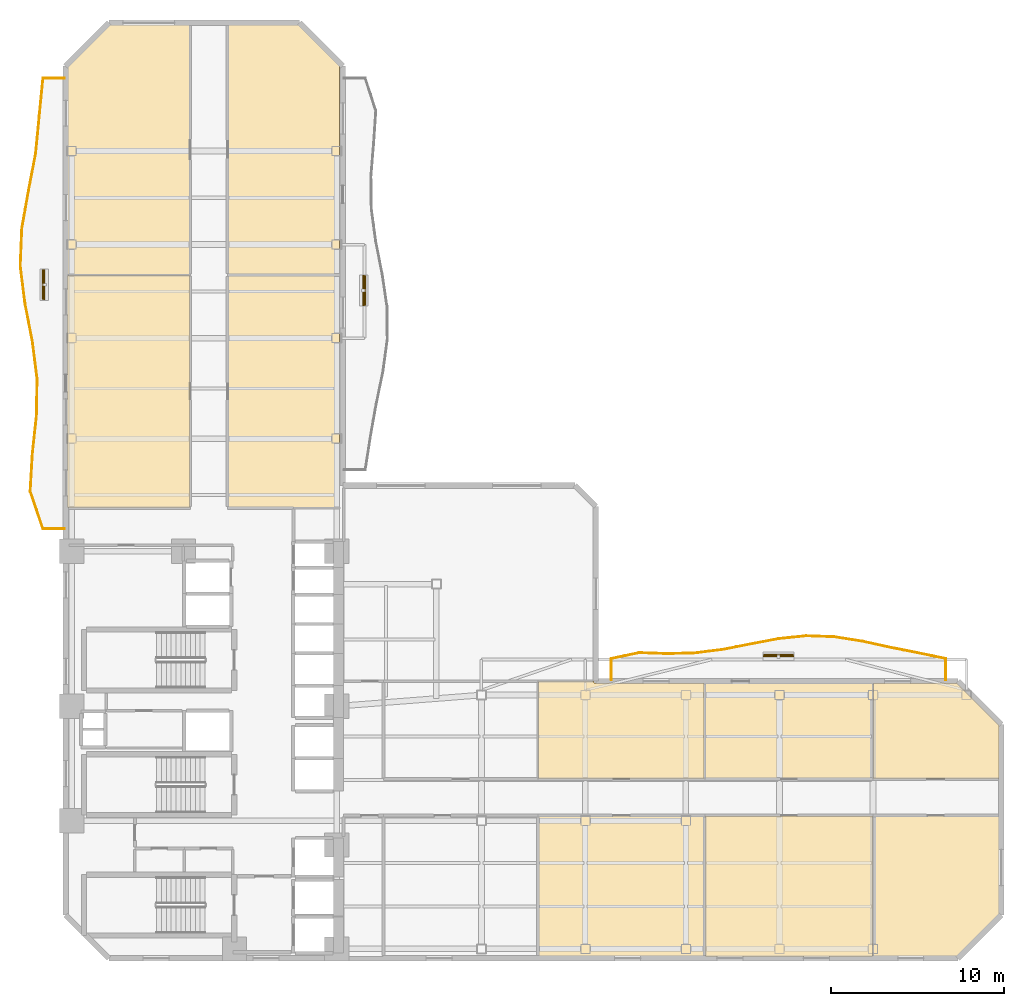
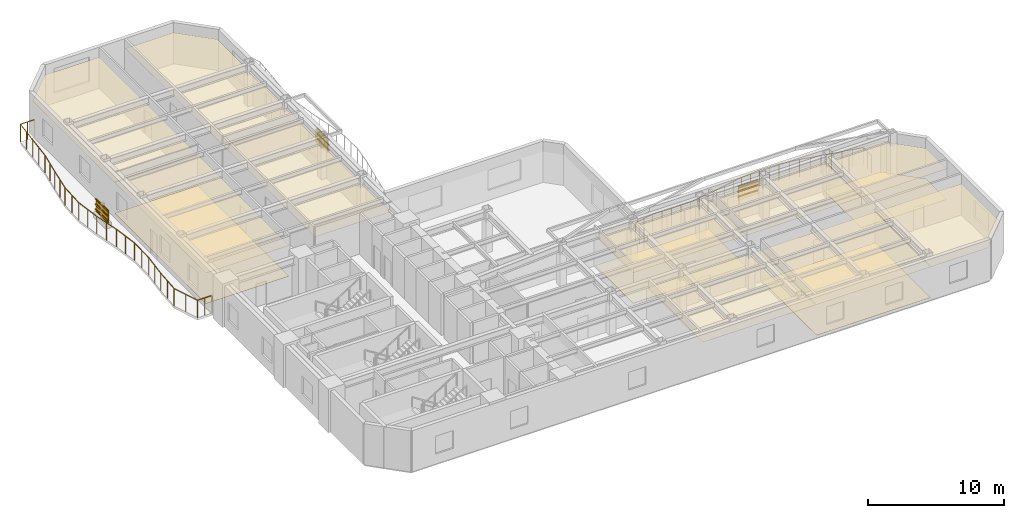
# One storey, part 9 of 10: 14 coverings, 12 shading devices, 2 railings.
"""IFC4 building model written with IfcOpenShell, lengths in metres."""

from ifc_helpers import new_model, si_unit, direction, frame, origin, origin_2d, place, context, subcontext, project, spatial, polyline, rectangle, outline, extrude, material, layer, layer_set, material_profile, profile_set, type_object, element, save


model = new_model("IFC4")

# Units and contexts
model_context = context("Model", 3, precision=1e-05, world=origin(), true_north=direction((0.0, 1.0)))
body_context = subcontext(model_context, "Body", "Model", "MODEL_VIEW")
ifc_project = project(units=[si_unit("LENGTHUNIT", "METRE"), si_unit("AREAUNIT", "SQUARE_METRE"), si_unit("VOLUMEUNIT", "CUBIC_METRE"), si_unit("PLANEANGLEUNIT", "RADIAN"), si_unit("MASSUNIT", "GRAM", prefix="KILO")], contexts=[model_context])

# Site, building, storey
site_placement = place(None, origin())
site = spatial("IfcSite", under=ifc_project, at=site_placement, CompositionType="ELEMENT")
building_placement = place(site_placement, origin())
building = spatial("IfcBuilding", under=site, at=building_placement, Name="Mawjaban Terraces University", CompositionType="ELEMENT")
storey_placement = place(building_placement, frame((0.0, 0.0, 58.300048828125)))
storey = spatial("IfcBuildingStorey", under=building, at=storey_placement, Name="L13", CompositionType="ELEMENT", Elevation=58.300048828125)

# Coverings
ifc_material_1 = material(Name="Acoustic mineral fibre ceiling tile", Category="masonry")
ifc_layer_1 = layer(ifc_material_1, 0.02001953125)
ifc_layer_set_1 = layer_set([ifc_layer_1], Name="Acoustic mineral fibre ceiling tile")
covering_type_1 = type_object("IfcCoveringType", Name="AcousticMineralCeiling_20", PredefinedType="CEILING", material=ifc_layer_set_1)
covering_1_placement = place(storey_placement, frame((0.0, 0.0, 2.75)))
element("IfcCovering", 1, at=covering_1_placement, inside=storey, type_object=covering_type_1, Name="L13 Media Workshop 4 Acoustic Ceiling", PredefinedType="CEILING", context=body_context, shape_type="SweptSolid", body=[
    extrude(outline(polyline([(49.29296875, 0.114990234375), (58.85791015625, 0.114990234375), (58.85791015625, 8.219970703125), (49.29296875, 8.219970703125), (49.29296875, 0.114990234375)])), origin(), (0.0, 0.0, 1.0), 0.02001953125),
])
covering_2_placement = place(storey_placement, frame((0.0, 0.0, 2.75)))
element("IfcCovering", 2, at=covering_2_placement, inside=storey, type_object=covering_type_1, Name="L13 Quiet Reading Room 5 Acoustic Ceiling", PredefinedType="CEILING", context=body_context, shape_type="SweptSolid", body=[
    extrude(outline(polyline([(58.85791015625, 15.885009765625), (52.485107421875, 15.885009765625), (52.485107421875, 15.969970703125), (49.29296875, 15.969970703125), (49.29296875, 10.3798828125), (58.85791015625, 10.3798828125), (58.85791015625, 15.885009765625)])), origin(), (0.0, 0.0, 1.0), 0.02001953125),
])
covering_3_placement = place(storey_placement, frame((0.0, 0.0, 2.75)))
element("IfcCovering", 3, at=covering_3_placement, inside=storey, type_object=covering_type_1, Name="L13 Reading Salon 6 Acoustic Ceiling", PredefinedType="CEILING", context=body_context, shape_type="SweptSolid", body=[
    extrude(outline(polyline([(58.91796875, 0.114990234375), (68.570068359375, 0.114990234375), (68.570068359375, 8.219970703125), (58.91796875, 8.219970703125), (58.91796875, 0.114990234375)])), origin(), (0.0, 0.0, 1.0), 0.02001953125),
])
covering_4_placement = place(storey_placement, frame((0.0, 0.0, 2.75)))
element("IfcCovering", 4, at=covering_4_placement, inside=storey, type_object=covering_type_1, Name="L13 Academic Counseling Room 7 Acoustic Ceiling", PredefinedType="CEILING", context=body_context, shape_type="SweptSolid", body=[
    extrude(outline(polyline([(68.570068359375, 15.885009765625), (58.91796875, 15.885009765625), (58.91796875, 10.3798828125), (68.570068359375, 10.3798828125), (68.570068359375, 15.885009765625)])), origin(), (0.0, 0.0, 1.0), 0.02001953125),
])
covering_5_placement = place(storey_placement, frame((0.0, 0.0, 2.75)))
element("IfcCovering", 5, at=covering_5_placement, inside=storey, type_object=covering_type_1, Name="L13 Academic Counseling Room 8 Acoustic Ceiling", PredefinedType="CEILING", context=body_context, shape_type="SweptSolid", body=[
    extrude(outline(polyline([(68.6298828125, 0.114990234375), (73.452880859375, 0.114990234375), (75.885009765625, 2.547119140625), (75.885009765625, 8.219970703125), (68.6298828125, 8.219970703125), (68.6298828125, 0.114990234375)])), origin(), (0.0, 0.0, 1.0), 0.02001953125),
])
covering_6_placement = place(storey_placement, frame((0.0, 0.0, 2.75)))
element("IfcCovering", 6, at=covering_6_placement, inside=storey, type_object=covering_type_1, Name="L13 Classroom 9 Acoustic Ceiling", PredefinedType="CEILING", context=body_context, shape_type="SweptSolid", body=[
    extrude(outline(polyline([(75.885009765625, 10.3798828125), (75.885009765625, 13.452880859375), (73.452880859375, 15.885009765625), (68.6298828125, 15.885009765625), (68.6298828125, 10.3798828125), (75.885009765625, 10.3798828125)])), origin(), (0.0, 0.0, 1.0), 0.02001953125),
])
covering_7_placement = place(storey_placement, frame((0.0, 0.0, 2.75)))
element("IfcCovering", 7, at=covering_7_placement, inside=storey, type_object=covering_type_1, Name="L13 Seminar Room 10 Acoustic Ceiling", PredefinedType="CEILING", context=body_context, shape_type="SweptSolid", body=[
    extrude(outline(polyline([(22.114990234375, 39.409912109375), (22.114990234375, 26.030029296875), (29.169921875, 26.030029296875), (29.169921875, 39.409912109375), (22.114990234375, 39.409912109375)])), origin(), (0.0, 0.0, 1.0), 0.02001953125),
])
covering_8_placement = place(storey_placement, frame((0.0, 0.0, 2.75)))
element("IfcCovering", 8, at=covering_8_placement, inside=storey, type_object=covering_type_1, Name="L13 Faculty Office 11 Acoustic Ceiling", PredefinedType="CEILING", context=body_context, shape_type="SweptSolid", body=[
    extrude(outline(polyline([(37.820068359375, 26.030029296875), (37.820068359375, 39.409912109375), (31.3798828125, 39.409912109375), (31.3798828125, 26.030029296875), (37.820068359375, 26.030029296875)])), origin(), (0.0, 0.0, 1.0), 0.02001953125),
])
covering_9_placement = place(storey_placement, frame((0.0, 0.0, 2.75)))
element("IfcCovering", 9, at=covering_9_placement, inside=storey, type_object=covering_type_1, Name="L13 Teaching Laboratory 12 Acoustic Ceiling", PredefinedType="CEILING", context=body_context, shape_type="SweptSolid", body=[
    extrude(outline(polyline([(29.169921875, 53.885009765625), (24.547119140625, 53.885009765625), (22.114990234375, 51.452880859375), (22.114990234375, 39.469970703125), (29.169921875, 39.469970703125), (29.169921875, 53.885009765625)])), origin(), (0.0, 0.0, 1.0), 0.02001953125),
])
covering_10_placement = place(storey_placement, frame((0.0, 0.0, 2.75)))
element("IfcCovering", 10, at=covering_10_placement, inside=storey, type_object=covering_type_1, Name="L13 Design Studio 13 Acoustic Ceiling", PredefinedType="CEILING", context=body_context, shape_type="SweptSolid", body=[
    extrude(outline(polyline([(37.820068359375, 51.51806640625), (35.452880859375, 53.885009765625), (31.3798828125, 53.885009765625), (31.3798828125, 39.469970703125), (37.820068359375, 39.469970703125), (37.820068359375, 51.51806640625)])), origin(), (0.0, 0.0, 1.0), 0.02001953125),
])

# Railings
ifc_material_2 = material(Name="Galvanised powder-coated steel S355", Category="steel")
railing_type = type_object("IfcRailingType", Name="BalconyBalustrade_1600", PredefinedType="BALUSTRADE", material=ifc_material_2)
railing_1_placement = place(storey_placement, frame((21.919921875, 24.800048828125, 0.0)))
element("IfcRailing", 11, at=railing_1_placement, inside=storey, type_object=railing_type, Name="L13 Balcony Guardrail west", PredefinedType="BALUSTRADE", context=body_context, shape_type="SweptSolid", body=[
    extrude(rectangle(XDim=0.048095703125, YDim=0.048095703125, at=origin_2d()), frame((0.0, 0.0, 1.576171875), z_axis=(-1.0, 0.0, 0.0), x_axis=(0.0, -1.0, 0.0)), (0.0, 0.0, 1.0), 1.219970703125),
    extrude(rectangle(XDim=0.048095703125, YDim=0.048095703125, at=origin_2d()), frame((-1.219970703125, 0.0, 1.576171875), z_axis=(-0.32076997758, 0.94715712608, 0.0), x_axis=(-0.94715712608, -0.32076997758, 0.0)), (0.0, 0.0, 1.0), 2.287841796875),
    extrude(rectangle(XDim=0.048095703125, YDim=0.048095703125, at=origin_2d()), frame((-1.953857421875, 2.1669921875, 1.576171875), z_axis=(0.057165158423, 0.998364735286, 0.0), x_axis=(-0.998364735286, 0.057165158423, 0.0)), (0.0, 0.0, 1.0), 2.169677734375),
    extrude(rectangle(XDim=0.048095703125, YDim=0.048095703125, at=origin_2d()), frame((-1.829833984375, 4.3330078125, 1.576171875), z_axis=(0.107751142086, 0.994177897249, 0.0), x_axis=(-0.994177897249, 0.107751142086, 0.0)), (0.0, 0.0, 1.0), 2.1796875),
    extrude(rectangle(XDim=0.048095703125, YDim=0.048095703125, at=origin_2d()), frame((-1.594970703125, 6.5, 1.576171875), z_axis=(0.017572770568, 0.999845586946, 0.0), x_axis=(-0.999845586946, 0.017572770568, 0.0)), (0.0, 0.0, 1.0), 2.167236328125),
    extrude(rectangle(XDim=0.048095703125, YDim=0.048095703125, at=origin_2d()), frame((-1.556884765625, 8.6669921875, 1.576171875), z_axis=(-0.126016204068, 0.992028183225, 0.0), x_axis=(-0.992028183225, -0.126016204068, 0.0)), (0.0, 0.0, 1.0), 2.183349609375),
    extrude(rectangle(XDim=0.048095703125, YDim=0.048095703125, at=origin_2d()), frame((-1.83203125, 10.8330078125, 1.576171875), z_axis=(-0.192372709266, 0.981321935315, 0.0), x_axis=(-0.981321935315, -0.192372709266, 0.0)), (0.0, 0.0, 1.0), 2.208251953125),
    extrude(rectangle(XDim=0.048095703125, YDim=0.048095703125, at=origin_2d()), frame((-2.2568359375, 13.0, 1.576171875), z_axis=(-0.123649449448, 0.992325961391, 0.0), x_axis=(-0.992325961391, -0.123649449448, 0.0)), (0.0, 0.0, 1.0), 2.183837890625),
    extrude(rectangle(XDim=0.048095703125, YDim=0.048095703125, at=origin_2d()), frame((-2.52685546875, 15.1669921875, 1.576171875), z_axis=(0.040543732568, 0.999177764839, 0.0), x_axis=(-0.999177764839, 0.040543732568, 0.0)), (0.0, 0.0, 1.0), 2.167724609375),
    extrude(rectangle(XDim=0.048095703125, YDim=0.048095703125, at=origin_2d()), frame((-2.43896484375, 17.3330078125, 1.576171875), z_axis=(0.174500407925, 0.984657101551, 0.0), x_axis=(-0.984657101551, 0.174500407925, 0.0)), (0.0, 0.0, 1.0), 2.20068359375),
    extrude(rectangle(XDim=0.048095703125, YDim=0.048095703125, at=origin_2d()), frame((-2.054931640625, 19.5, 1.576171875), z_axis=(0.188108607076, 0.982148233183, 0.0), x_axis=(-0.982148233183, 0.188108607076, 0.0)), (0.0, 0.0, 1.0), 2.206298828125),
    extrude(rectangle(XDim=0.048095703125, YDim=0.048095703125, at=origin_2d()), frame((-1.639892578125, 21.6669921875, 1.576171875), z_axis=(0.096037346488, 0.995377731356, 0.0), x_axis=(-0.995377731356, 0.096037346488, 0.0)), (0.0, 0.0, 1.0), 2.176025390625),
    extrude(rectangle(XDim=0.048095703125, YDim=0.048095703125, at=origin_2d()), frame((-1.430908203125, 23.8330078125, 1.576171875), z_axis=(0.096883228076, 0.995295755099, 0.0), x_axis=(-0.995295755099, 0.096883228076, 0.0)), (0.0, 0.0, 1.0), 2.17724609375),
    extrude(rectangle(XDim=0.048095703125, YDim=0.048095703125, at=origin_2d()), frame((-1.219970703125, 26.0, 1.576171875), z_axis=(1.0, 0.0, 0.0), x_axis=(0.0, 1.0, 0.0)), (0.0, 0.0, 1.0), 1.219970703125),
    extrude(rectangle(XDim=0.0419921875, YDim=0.0419921875, at=origin_2d()), origin(), (0.0, 0.0, 1.0), 1.552001953125),
    extrude(rectangle(XDim=0.0419921875, YDim=0.0419921875, at=origin_2d()), frame((-0.60986328125, 0.0, 0.0)), (0.0, 0.0, 1.0), 1.552001953125),
    extrude(rectangle(XDim=0.0419921875, YDim=0.0419921875, at=origin_2d()), frame((-1.219970703125, 0.0, 0.0)), (0.0, 0.0, 1.0), 1.552001953125),
    extrude(rectangle(XDim=0.0419921875, YDim=0.0419921875, at=origin_2d()), frame((-1.5869140625, 1.08349609375, 0.0)), (0.0, 0.0, 1.0), 1.552001953125),
    extrude(rectangle(XDim=0.0419921875, YDim=0.0419921875, at=origin_2d()), frame((-1.953857421875, 2.1669921875, 0.0)), (0.0, 0.0, 1.0), 1.552001953125),
    extrude(rectangle(XDim=0.0419921875, YDim=0.0419921875, at=origin_2d()), frame((-1.891845703125, 3.25, 0.0)), (0.0, 0.0, 1.0), 1.552001953125),
    extrude(rectangle(XDim=0.0419921875, YDim=0.0419921875, at=origin_2d()), frame((-1.829833984375, 4.3330078125, 0.0)), (0.0, 0.0, 1.0), 1.552001953125),
    extrude(rectangle(XDim=0.0419921875, YDim=0.0419921875, at=origin_2d()), frame((-1.71240234375, 5.41650390625, 0.0)), (0.0, 0.0, 1.0), 1.552001953125),
    extrude(rectangle(XDim=0.0419921875, YDim=0.0419921875, at=origin_2d()), frame((-1.594970703125, 6.5, 0.0)), (0.0, 0.0, 1.0), 1.552001953125),
    extrude(rectangle(XDim=0.0419921875, YDim=0.0419921875, at=origin_2d()), frame((-1.575927734375, 7.58349609375, 0.0)), (0.0, 0.0, 1.0), 1.552001953125),
    extrude(rectangle(XDim=0.0419921875, YDim=0.0419921875, at=origin_2d()), frame((-1.556884765625, 8.6669921875, 0.0)), (0.0, 0.0, 1.0), 1.552001953125),
    extrude(rectangle(XDim=0.0419921875, YDim=0.0419921875, at=origin_2d()), frame((-1.6943359375, 9.75, 0.0)), (0.0, 0.0, 1.0), 1.552001953125),
    extrude(rectangle(XDim=0.0419921875, YDim=0.0419921875, at=origin_2d()), frame((-1.83203125, 10.8330078125, 0.0)), (0.0, 0.0, 1.0), 1.552001953125),
    extrude(rectangle(XDim=0.0419921875, YDim=0.0419921875, at=origin_2d()), frame((-2.04443359375, 11.91650390625, 0.0)), (0.0, 0.0, 1.0), 1.552001953125),
    extrude(rectangle(XDim=0.0419921875, YDim=0.0419921875, at=origin_2d()), frame((-2.2568359375, 13.0, 0.0)), (0.0, 0.0, 1.0), 1.552001953125),
    extrude(rectangle(XDim=0.0419921875, YDim=0.0419921875, at=origin_2d()), frame((-2.391845703125, 14.08349609375, 0.0)), (0.0, 0.0, 1.0), 1.552001953125),
    extrude(rectangle(XDim=0.0419921875, YDim=0.0419921875, at=origin_2d()), frame((-2.52685546875, 15.1669921875, 0.0)), (0.0, 0.0, 1.0), 1.552001953125),
    extrude(rectangle(XDim=0.0419921875, YDim=0.0419921875, at=origin_2d()), frame((-2.48291015625, 16.25, 0.0)), (0.0, 0.0, 1.0), 1.552001953125),
    extrude(rectangle(XDim=0.0419921875, YDim=0.0419921875, at=origin_2d()), frame((-2.43896484375, 17.3330078125, 0.0)), (0.0, 0.0, 1.0), 1.552001953125),
    extrude(rectangle(XDim=0.0419921875, YDim=0.0419921875, at=origin_2d()), frame((-2.2470703125, 18.41650390625, 0.0)), (0.0, 0.0, 1.0), 1.552001953125),
    extrude(rectangle(XDim=0.0419921875, YDim=0.0419921875, at=origin_2d()), frame((-2.054931640625, 19.5, 0.0)), (0.0, 0.0, 1.0), 1.552001953125),
    extrude(rectangle(XDim=0.0419921875, YDim=0.0419921875, at=origin_2d()), frame((-1.847412109375, 20.58349609375, 0.0)), (0.0, 0.0, 1.0), 1.552001953125),
    extrude(rectangle(XDim=0.0419921875, YDim=0.0419921875, at=origin_2d()), frame((-1.639892578125, 21.6669921875, 0.0)), (0.0, 0.0, 1.0), 1.552001953125),
    extrude(rectangle(XDim=0.0419921875, YDim=0.0419921875, at=origin_2d()), frame((-1.535400390625, 22.75, 0.0)), (0.0, 0.0, 1.0), 1.552001953125),
    extrude(rectangle(XDim=0.0419921875, YDim=0.0419921875, at=origin_2d()), frame((-1.430908203125, 23.8330078125, 0.0)), (0.0, 0.0, 1.0), 1.552001953125),
    extrude(rectangle(XDim=0.0419921875, YDim=0.0419921875, at=origin_2d()), frame((-1.325439453125, 24.91650390625, 0.0)), (0.0, 0.0, 1.0), 1.552001953125),
    extrude(rectangle(XDim=0.0419921875, YDim=0.0419921875, at=origin_2d()), frame((-1.219970703125, 26.0, 0.0)), (0.0, 0.0, 1.0), 1.552001953125),
    extrude(rectangle(XDim=0.0419921875, YDim=0.0419921875, at=origin_2d()), frame((-0.60986328125, 26.0, 0.0)), (0.0, 0.0, 1.0), 1.552001953125),
    extrude(rectangle(XDim=0.0419921875, YDim=0.0419921875, at=origin_2d()), frame((0.0, 26.0, 0.0)), (0.0, 0.0, 1.0), 1.552001953125),
])
railing_2_placement = place(storey_placement, frame((53.5, 16.080078125, 0.0)))
element("IfcRailing", 12, at=railing_2_placement, inside=storey, type_object=railing_type, Name="L13 Balcony Guardrail inner_north", PredefinedType="BALUSTRADE", context=body_context, shape_type="SweptSolid", body=[
    extrude(rectangle(XDim=0.048095703125, YDim=0.048095703125, at=origin_2d()), frame((0.0, 0.0, 1.576171875), z_axis=(0.0, 1.0, 0.0), x_axis=(-1.0, 0.0, 0.0)), (0.0, 0.0, 1.0), 1.219970703125),
    extrude(rectangle(XDim=0.048095703125, YDim=0.048095703125, at=origin_2d()), frame((0.0, 1.219970703125, 1.576171875), z_axis=(0.978505623955, 0.206220134535, 0.0), x_axis=(-0.206220134535, 0.978505623955, 0.0)), (0.0, 0.0, 1.0), 1.643310546875),
    extrude(rectangle(XDim=0.048095703125, YDim=0.048095703125, at=origin_2d()), frame((1.60791015625, 1.558837890625, 1.576171875), z_axis=(0.999396961052, -0.034723396159, 0.0), x_axis=(0.034723396159, 0.999396961052, 0.0)), (0.0, 0.0, 1.0), 1.610107421875),
    extrude(rectangle(XDim=0.048095703125, YDim=0.048095703125, at=origin_2d()), frame((3.217041015625, 1.5029296875, 1.576171875), z_axis=(0.99970503239, 0.024286790948, 0.0), x_axis=(-0.024286790948, 0.99970503239, 0.0)), (0.0, 0.0, 1.0), 1.6083984375),
    extrude(rectangle(XDim=0.048095703125, YDim=0.048095703125, at=origin_2d()), frame((4.824951171875, 1.5419921875, 1.576171875), z_axis=(0.992210526181, 0.12457235542, 0.0), x_axis=(-0.12457235542, 0.992210526181, 0.0)), (0.0, 0.0, 1.0), 1.620849609375),
    extrude(rectangle(XDim=0.048095703125, YDim=0.048095703125, at=origin_2d()), frame((6.43310546875, 1.743896484375, 1.576171875), z_axis=(0.981007737848, 0.193968601277, 0.0), x_axis=(-0.193968601277, 0.981007737848, 0.0)), (0.0, 0.0, 1.0), 1.64013671875),
    extrude(rectangle(XDim=0.048095703125, YDim=0.048095703125, at=origin_2d()), frame((8.0419921875, 2.06201171875, 1.576171875), z_axis=(0.982269311628, 0.187475330203, 0.0), x_axis=(-0.187475330203, 0.982269311628, 0.0)), (0.0, 0.0, 1.0), 1.636962890625),
    extrude(rectangle(XDim=0.048095703125, YDim=0.048095703125, at=origin_2d()), frame((9.64990234375, 2.368896484375, 1.576171875), z_axis=(0.994836321222, 0.101492334577, 0.0), x_axis=(-0.101492334577, 0.994836321222, 0.0)), (0.0, 0.0, 1.0), 1.616455078125),
    extrude(rectangle(XDim=0.048095703125, YDim=0.048095703125, at=origin_2d()), frame((11.258056640625, 2.532958984375, 1.576171875), z_axis=(0.999370174204, -0.035485981906, 0.0), x_axis=(0.035485981906, 0.999370174204, 0.0)), (0.0, 0.0, 1.0), 1.60986328125),
    extrude(rectangle(XDim=0.048095703125, YDim=0.048095703125, at=origin_2d()), frame((12.866943359375, 2.475830078125, 1.576171875), z_axis=(0.98757872014, -0.15712501878, 0.0), x_axis=(0.15712501878, 0.98757872014, 0.0)), (0.0, 0.0, 1.0), 1.62841796875),
    extrude(rectangle(XDim=0.048095703125, YDim=0.048095703125, at=origin_2d()), frame((14.47509765625, 2.219970703125, 1.576171875), z_axis=(0.976983169903, -0.213316398166, 0.0), x_axis=(0.213316398166, 0.976983169903, 0.0)), (0.0, 0.0, 1.0), 1.645751953125),
    extrude(rectangle(XDim=0.048095703125, YDim=0.048095703125, at=origin_2d()), frame((16.0830078125, 1.868896484375, 1.576171875), z_axis=(0.981036054572, -0.193825332785, 0.0), x_axis=(0.193825332785, 0.981036054572, 0.0)), (0.0, 0.0, 1.0), 1.639892578125),
    extrude(rectangle(XDim=0.048095703125, YDim=0.048095703125, at=origin_2d()), frame((17.69189453125, 1.551025390625, 1.576171875), z_axis=(0.979461362007, -0.201631942748, 0.0), x_axis=(0.201631942748, 0.979461362007, 0.0)), (0.0, 0.0, 1.0), 1.641845703125),
    extrude(rectangle(XDim=0.048095703125, YDim=0.048095703125, at=origin_2d()), frame((19.300048828125, 1.219970703125, 1.576171875), z_axis=(0.0, -1.0, 0.0), x_axis=(1.0, 0.0, 0.0)), (0.0, 0.0, 1.0), 1.219970703125),
    extrude(rectangle(XDim=0.0419921875, YDim=0.0419921875, at=origin_2d()), origin(), (0.0, 0.0, 1.0), 1.552001953125),
    extrude(rectangle(XDim=0.0419921875, YDim=0.0419921875, at=origin_2d()), frame((0.0, 0.60986328125, 0.0)), (0.0, 0.0, 1.0), 1.552001953125),
    extrude(rectangle(XDim=0.0419921875, YDim=0.0419921875, at=origin_2d()), frame((0.0, 1.219970703125, 0.0)), (0.0, 0.0, 1.0), 1.552001953125),
    extrude(rectangle(XDim=0.0419921875, YDim=0.0419921875, at=origin_2d()), frame((0.803955078125, 1.389404296875, 0.0)), (0.0, 0.0, 1.0), 1.552001953125),
    extrude(rectangle(XDim=0.0419921875, YDim=0.0419921875, at=origin_2d()), frame((1.60791015625, 1.558837890625, 0.0)), (0.0, 0.0, 1.0), 1.552001953125),
    extrude(rectangle(XDim=0.0419921875, YDim=0.0419921875, at=origin_2d()), frame((2.41259765625, 1.53076171875, 0.0)), (0.0, 0.0, 1.0), 1.552001953125),
    extrude(rectangle(XDim=0.0419921875, YDim=0.0419921875, at=origin_2d()), frame((3.217041015625, 1.5029296875, 0.0)), (0.0, 0.0, 1.0), 1.552001953125),
    extrude(rectangle(XDim=0.0419921875, YDim=0.0419921875, at=origin_2d()), frame((4.02099609375, 1.5224609375, 0.0)), (0.0, 0.0, 1.0), 1.552001953125),
    extrude(rectangle(XDim=0.0419921875, YDim=0.0419921875, at=origin_2d()), frame((4.824951171875, 1.5419921875, 0.0)), (0.0, 0.0, 1.0), 1.552001953125),
    extrude(rectangle(XDim=0.0419921875, YDim=0.0419921875, at=origin_2d()), frame((5.62890625, 1.64306640625, 0.0)), (0.0, 0.0, 1.0), 1.552001953125),
    extrude(rectangle(XDim=0.0419921875, YDim=0.0419921875, at=origin_2d()), frame((6.43310546875, 1.743896484375, 0.0)), (0.0, 0.0, 1.0), 1.552001953125),
    extrude(rectangle(XDim=0.0419921875, YDim=0.0419921875, at=origin_2d()), frame((7.237548828125, 1.90283203125, 0.0)), (0.0, 0.0, 1.0), 1.552001953125),
    extrude(rectangle(XDim=0.0419921875, YDim=0.0419921875, at=origin_2d()), frame((8.0419921875, 2.06201171875, 0.0)), (0.0, 0.0, 1.0), 1.552001953125),
    extrude(rectangle(XDim=0.0419921875, YDim=0.0419921875, at=origin_2d()), frame((8.845947265625, 2.21533203125, 0.0)), (0.0, 0.0, 1.0), 1.552001953125),
    extrude(rectangle(XDim=0.0419921875, YDim=0.0419921875, at=origin_2d()), frame((9.64990234375, 2.368896484375, 0.0)), (0.0, 0.0, 1.0), 1.552001953125),
    extrude(rectangle(XDim=0.0419921875, YDim=0.0419921875, at=origin_2d()), frame((10.4541015625, 2.450927734375, 0.0)), (0.0, 0.0, 1.0), 1.552001953125),
    extrude(rectangle(XDim=0.0419921875, YDim=0.0419921875, at=origin_2d()), frame((11.258056640625, 2.532958984375, 0.0)), (0.0, 0.0, 1.0), 1.552001953125),
    extrude(rectangle(XDim=0.0419921875, YDim=0.0419921875, at=origin_2d()), frame((12.0625, 2.50439453125, 0.0)), (0.0, 0.0, 1.0), 1.552001953125),
    extrude(rectangle(XDim=0.0419921875, YDim=0.0419921875, at=origin_2d()), frame((12.866943359375, 2.475830078125, 0.0)), (0.0, 0.0, 1.0), 1.552001953125),
    extrude(rectangle(XDim=0.0419921875, YDim=0.0419921875, at=origin_2d()), frame((13.6708984375, 2.347900390625, 0.0)), (0.0, 0.0, 1.0), 1.552001953125),
    extrude(rectangle(XDim=0.0419921875, YDim=0.0419921875, at=origin_2d()), frame((14.47509765625, 2.219970703125, 0.0)), (0.0, 0.0, 1.0), 1.552001953125),
    extrude(rectangle(XDim=0.0419921875, YDim=0.0419921875, at=origin_2d()), frame((15.279052734375, 2.04443359375, 0.0)), (0.0, 0.0, 1.0), 1.552001953125),
    extrude(rectangle(XDim=0.0419921875, YDim=0.0419921875, at=origin_2d()), frame((16.0830078125, 1.868896484375, 0.0)), (0.0, 0.0, 1.0), 1.552001953125),
    extrude(rectangle(XDim=0.0419921875, YDim=0.0419921875, at=origin_2d()), frame((16.887451171875, 1.7099609375, 0.0)), (0.0, 0.0, 1.0), 1.552001953125),
    extrude(rectangle(XDim=0.0419921875, YDim=0.0419921875, at=origin_2d()), frame((17.69189453125, 1.551025390625, 0.0)), (0.0, 0.0, 1.0), 1.552001953125),
    extrude(rectangle(XDim=0.0419921875, YDim=0.0419921875, at=origin_2d()), frame((18.49609375, 1.385498046875, 0.0)), (0.0, 0.0, 1.0), 1.552001953125),
    extrude(rectangle(XDim=0.0419921875, YDim=0.0419921875, at=origin_2d()), frame((19.300048828125, 1.219970703125, 0.0)), (0.0, 0.0, 1.0), 1.552001953125),
    extrude(rectangle(XDim=0.0419921875, YDim=0.0419921875, at=origin_2d()), frame((19.300048828125, 0.60986328125, 0.0)), (0.0, 0.0, 1.0), 1.552001953125),
    extrude(rectangle(XDim=0.0419921875, YDim=0.0419921875, at=origin_2d()), frame((19.300048828125, 0.0, 0.0)), (0.0, 0.0, 1.0), 1.552001953125),
])

# Shading devices
ifc_material_3 = material(Name="Glazed architectural terracotta ceramic", Category="masonry")
ifc_material_profile = material_profile(ifc_material_3, rectangle(XDim=0.06494140625, YDim=0.110107421875, at=origin_2d()), Name="TBAG110X65")
ifc_profile_set = profile_set([ifc_material_profile], Name="Glazed architectural terracotta ceramic")
shading_device_type_1 = type_object("IfcShadingDeviceType", Name="TerracottaBaguette_110x65", PredefinedType="USERDEFINED", material=ifc_profile_set)
for number, where, z_axis, x_axis, name in (
    (13, (20.68408203125, 38.032958984375, 0.679931640625), (0.0, 1.0, 0.0), (-1.0, 0.0, 0.0), "L13 Horizontal Terracotta Baguette west.1"),
    (14, (20.68408203125, 38.032958984375, 1.14990234375), (0.0, 1.0, 0.0), (-1.0, 0.0, 0.0), "L13 Horizontal Terracotta Baguette west.2"),
    (15, (20.68408203125, 38.032958984375, 1.619873046875), (0.0, 1.0, 0.0), (-1.0, 0.0, 0.0), "L13 Horizontal Terracotta Baguette west.3"),
    (16, (62.2919921875, 17.52587890625, 0.679931640625), (1.0, 0.0, 0.0), (0.0, 1.0, 0.0), "L13 Horizontal Terracotta Baguette inner_north.1"),
    (17, (62.2919921875, 17.52587890625, 1.14990234375), (1.0, 0.0, 0.0), (0.0, 1.0, 0.0), "L13 Horizontal Terracotta Baguette inner_north.2"),
    (18, (62.2919921875, 17.52587890625, 1.619873046875), (1.0, 0.0, 0.0), (0.0, 1.0, 0.0), "L13 Horizontal Terracotta Baguette inner_north.3"),
    (19, (39.2900390625, 37.7060546875, 0.679931640625), (0.0, 1.0, 0.0), (-1.0, 0.0, 0.0), "L13 Horizontal Terracotta Baguette inner_east.1"),
    (20, (39.2900390625, 37.7060546875, 1.14990234375), (0.0, 1.0, 0.0), (-1.0, 0.0, 0.0), "L13 Horizontal Terracotta Baguette inner_east.2"),
    (21, (39.2900390625, 37.7060546875, 1.619873046875), (0.0, 1.0, 0.0), (-1.0, 0.0, 0.0), "L13 Horizontal Terracotta Baguette inner_east.3"),
):
    element("IfcShadingDevice", number, at=place(storey_placement, frame(where, z_axis=z_axis, x_axis=x_axis)), inside=storey, type_object=shading_device_type_1, Name=name, ObjectType="BAGUETTE", PredefinedType="USERDEFINED", context=body_context, shape_type="SweptSolid", body=[
        extrude(rectangle(XDim=0.06494140625, YDim=0.110107421875, at=origin_2d()), origin(), (0.0, 0.0, 1.0), 1.699951171875),
    ])
ifc_layer_2 = layer(ifc_material_3, 0.080078125)
ifc_layer_set_2 = layer_set([ifc_layer_2], Name="Glazed architectural terracotta ceramic")
shading_device_type_2 = type_object("IfcShadingDeviceType", Name="TerracottaScreen_Perforated", PredefinedType="USERDEFINED", material=ifc_layer_set_2)
for number, where, z_axis, x_axis, name in (
    (22, (20.76904296875, 38.883056640625, 0.43994140625), (0.0, 0.0, 1.0), (0.0, 1.0, 0.0), "L13 Balcony Perforated Terracotta Screen west"),
    (23, (63.14208984375, 17.44091796875, 0.43994140625), (0.0, 0.0, 1.0), (1.0, 0.0, 0.0), "L13 Balcony Perforated Terracotta Screen inner_north"),
    (24, (39.205078125, 38.555908203125, 0.43994140625), (0.0, 0.0, 1.0), (0.0, 1.0, 0.0), "L13 Balcony Perforated Terracotta Screen inner_east"),
):
    element("IfcShadingDevice", number, at=place(storey_placement, frame(where, z_axis=z_axis, x_axis=x_axis)), inside=storey, type_object=shading_device_type_2, Name=name, ObjectType="SCREEN", PredefinedType="USERDEFINED", context=body_context, shape_type="SweptSolid", body=[
        extrude(rectangle(XDim=1.75, YDim=0.080078125, at=origin_2d()), origin(), (0.0, 0.0, 1.0), 1.14990234375),
    ])

# Coverings
ifc_material_4 = material(Name="Polished Hijazi granite terrazzo flooring", Category="masonry")
ifc_layer_3 = layer(ifc_material_4, 0.02490234375)
ifc_layer_set_3 = layer_set([ifc_layer_3], Name="Polished Hijazi granite terrazzo flooring")
covering_type_2 = type_object("IfcCoveringType", Name="TerrazzoConcourseFlooring_25", PredefinedType="FLOORING", material=ifc_layer_set_3)
covering_11_placement = place(storey_placement, origin())
element("IfcCovering", 25, at=covering_11_placement, inside=storey, type_object=covering_type_2, Name="L13 Quiet Reading Room 5 Terrazzo Flooring", PredefinedType="FLOORING", context=body_context, shape_type="SweptSolid", body=[
    extrude(outline(polyline([(58.85791015625, 15.885009765625), (52.485107421875, 15.885009765625), (52.485107421875, 15.969970703125), (49.29296875, 15.969970703125), (49.29296875, 10.3798828125), (58.85791015625, 10.3798828125), (58.85791015625, 15.885009765625)])), origin(), (0.0, 0.0, 1.0), 0.02490234375),
])
covering_12_placement = place(storey_placement, origin())
element("IfcCovering", 26, at=covering_12_placement, inside=storey, type_object=covering_type_2, Name="L13 Reading Salon 6 Terrazzo Flooring", PredefinedType="FLOORING", context=body_context, shape_type="SweptSolid", body=[
    extrude(outline(polyline([(58.91796875, 0.114990234375), (68.570068359375, 0.114990234375), (68.570068359375, 8.219970703125), (58.91796875, 8.219970703125), (58.91796875, 0.114990234375)])), origin(), (0.0, 0.0, 1.0), 0.02490234375),
])
covering_13_placement = place(storey_placement, origin())
element("IfcCovering", 27, at=covering_13_placement, inside=storey, type_object=covering_type_2, Name="L13 Classroom 9 Terrazzo Flooring", PredefinedType="FLOORING", context=body_context, shape_type="SweptSolid", body=[
    extrude(outline(polyline([(75.885009765625, 10.3798828125), (75.885009765625, 13.452880859375), (73.452880859375, 15.885009765625), (68.6298828125, 15.885009765625), (68.6298828125, 10.3798828125), (75.885009765625, 10.3798828125)])), origin(), (0.0, 0.0, 1.0), 0.02490234375),
])
covering_14_placement = place(storey_placement, origin())
element("IfcCovering", 28, at=covering_14_placement, inside=storey, type_object=covering_type_2, Name="L13 Seminar Room 10 Terrazzo Flooring", PredefinedType="FLOORING", context=body_context, shape_type="SweptSolid", body=[
    extrude(outline(polyline([(22.114990234375, 39.409912109375), (22.114990234375, 26.030029296875), (29.169921875, 26.030029296875), (29.169921875, 39.409912109375), (22.114990234375, 39.409912109375)])), origin(), (0.0, 0.0, 1.0), 0.02490234375),
])

save(model, "model.ifc")
